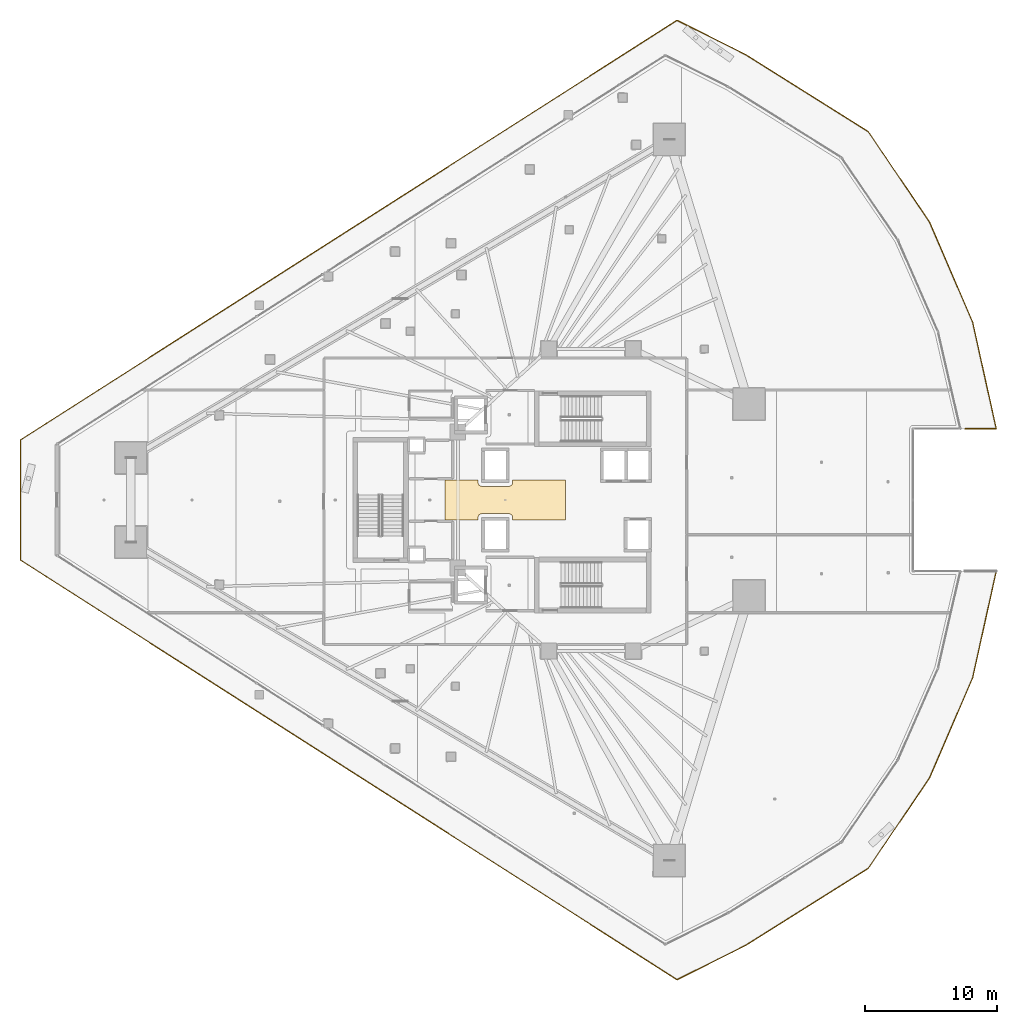
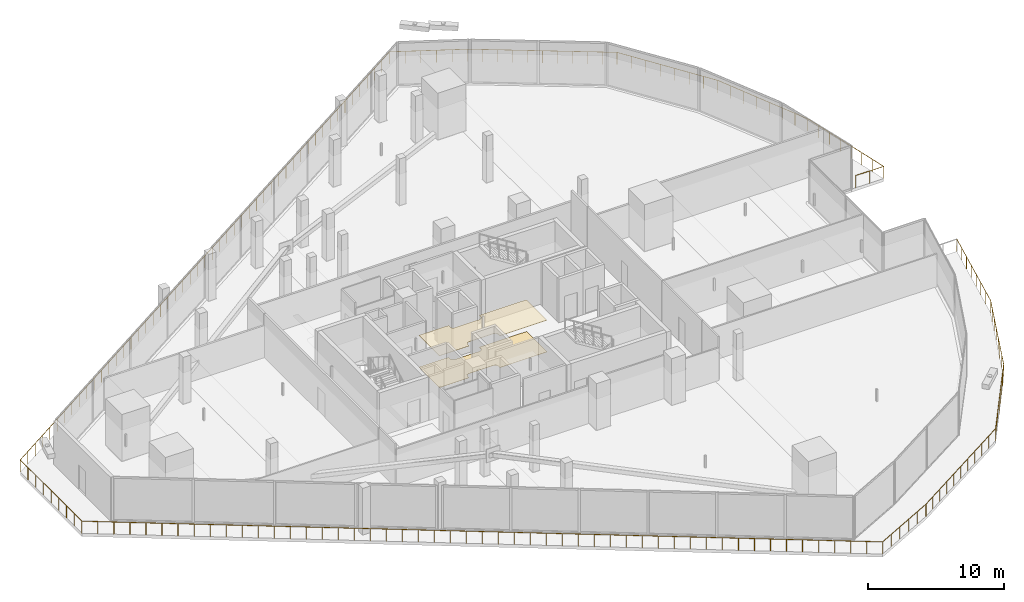
# One storey, part 41 of 43: 2 coverings, 1 railing.
"""IFC4 building model written with IfcOpenShell, lengths in metres."""

from ifc_helpers import new_model, si_unit, direction, frame, origin, origin_2d, place, context, subcontext, project, spatial, polyline, circle, outline, extrude, material, layer, layer_set, type_object, element, save


model = new_model("IFC4")

# Units and contexts
model_context = context("Model", 3, precision=1e-05, world=origin(), true_north=direction((0.0, 1.0)))
body_context = subcontext(model_context, "Body", "Model", "MODEL_VIEW")
ifc_project = project(units=[si_unit("LENGTHUNIT", "METRE"), si_unit("AREAUNIT", "SQUARE_METRE"), si_unit("VOLUMEUNIT", "CUBIC_METRE"), si_unit("PLANEANGLEUNIT", "RADIAN"), si_unit("MASSUNIT", "GRAM", prefix="KILO")], contexts=[model_context])

# Site, building, storey
site_placement = place(None, origin())
site = spatial("IfcSite", under=ifc_project, at=site_placement, CompositionType="ELEMENT")
building_placement = place(site_placement, origin())
building = spatial("IfcBuilding", under=site, at=building_placement, Name="Qorvath Tower", CompositionType="ELEMENT")
storey_placement = place(building_placement, frame((0.0, 0.0, 36.60009765625)))
storey = spatial("IfcBuildingStorey", under=building, at=storey_placement, Name="L07", CompositionType="ELEMENT", Elevation=36.60009765625)

# Coverings
ifc_material_1 = material(Name="Acoustic mineral fibre ceiling tile", Category="gypsum")
ifc_layer_1 = layer(ifc_material_1, 0.030029296875)
ifc_layer_set_1 = layer_set([ifc_layer_1], Name="COV-CEIL")
covering_type_1 = type_object("IfcCoveringType", Name="COV-CEIL", PredefinedType="CEILING", material=ifc_layer_set_1)
covering_1_placement = place(storey_placement, frame((0.0, 0.0, 2.849853515625)))
element("IfcCovering", 1, at=covering_1_placement, inside=storey, type_object=covering_type_1, Name="L07 Suspended Acoustic Ceiling 009", PredefinedType="CEILING", context=body_context, shape_type="SweptSolid", body=[
    extrude(outline(polyline([(-22.318359375, -1.514892578125), (-22.318359375, 1.514892578125), (-26.340087890625, 1.514892578125), (-26.340087890625, 1.2900390625), (-26.413330078125, 1.11328125), (-26.590087890625, 1.0400390625), (-28.7099609375, 1.0400390625), (-28.88671875, 1.11328125), (-28.9599609375, 1.2900390625), (-28.9599609375, 1.514892578125), (-31.481689453125, 1.514892578125), (-31.481689453125, -1.514892578125), (-28.9599609375, -1.514892578125), (-28.9599609375, -1.2900390625), (-28.88671875, -1.11328125), (-28.7099609375, -1.0400390625), (-26.590087890625, -1.0400390625), (-26.413330078125, -1.11328125), (-26.340087890625, -1.2900390625), (-26.340087890625, -1.514892578125), (-22.318359375, -1.514892578125)])), origin(), (0.0, 0.0, 1.0), 0.030029296875),
])
ifc_material_2 = material(Name="Polished epoxy terrazzo flooring", Category="concrete")
ifc_layer_2 = layer(ifc_material_2, 0.02001953125)
ifc_layer_set_2 = layer_set([ifc_layer_2], Name="COV-FLOOR-TRZ")
covering_type_2 = type_object("IfcCoveringType", Name="COV-FLOOR-TRZ", PredefinedType="FLOORING", material=ifc_layer_set_2)
covering_2_placement = place(storey_placement, origin())
element("IfcCovering", 2, at=covering_2_placement, inside=storey, type_object=covering_type_2, Name="L07 Floor Finish 009", PredefinedType="FLOORING", context=body_context, shape_type="SweptSolid", body=[
    extrude(outline(polyline([(-22.318359375, -1.514892578125), (-22.318359375, 1.514892578125), (-26.340087890625, 1.514892578125), (-26.340087890625, 1.2900390625), (-26.413330078125, 1.11328125), (-26.590087890625, 1.0400390625), (-28.7099609375, 1.0400390625), (-28.88671875, 1.11328125), (-28.9599609375, 1.2900390625), (-28.9599609375, 1.514892578125), (-31.481689453125, 1.514892578125), (-31.481689453125, -1.514892578125), (-28.9599609375, -1.514892578125), (-28.9599609375, -1.2900390625), (-28.88671875, -1.11328125), (-28.7099609375, -1.0400390625), (-26.590087890625, -1.0400390625), (-26.413330078125, -1.11328125), (-26.340087890625, -1.2900390625), (-26.340087890625, -1.514892578125), (-22.318359375, -1.514892578125)])), origin(), (0.0, 0.0, 1.0), 0.014892578125),
])

# Railing
ifc_material_3 = material(Name="Laminated safety glass and stainless steel AISI 316", Category="steel")
railing_type = type_object("IfcRailingType", Name="RL-EXT-GRD", PredefinedType="GUARDRAIL", material=ifc_material_3)
railing_placement = place(storey_placement, frame((10.32080078125, -5.39990234375, 0.0)))
element("IfcRailing", 3, at=railing_placement, inside=storey, type_object=railing_type, Name="Loggia Perimeter Guardrail L07-1.1", PredefinedType="GUARDRAIL", context=body_context, shape_type="SweptSolid", body=[
    extrude(circle(Radius=0.02392578125, at=origin_2d()), frame((0.0, 0.0, 1.09619140625), z_axis=(-0.216111367319, -0.976368719755, 0.0), x_axis=(0.976368719755, -0.216111367319, 0.0)), (0.0, 0.0, 1.0), 8.269287109375),
    extrude(circle(Radius=0.02392578125, at=origin_2d()), frame((-1.787109375, -8.073974609375, 1.09619140625), z_axis=(-0.395490176662, -0.918470206465, 0.0), x_axis=(0.918470206465, -0.395490176662, 0.0)), (0.0, 0.0, 1.0), 8.268798828125),
    extrude(circle(Radius=0.02392578125, at=origin_2d()), frame((-5.057373046875, -15.668701171875, 1.09619140625), z_axis=(-0.560810281293, -0.827944338948, 0.0), x_axis=(0.827944338948, -0.560810281293, 0.0)), (0.0, 0.0, 1.0), 8.269287109375),
    extrude(circle(Radius=0.02392578125, at=origin_2d()), frame((-9.69482421875, -22.51513671875, 1.09619140625), z_axis=(-0.846501906078, -0.532385690084, 0.0), x_axis=(0.532385690084, -0.846501906078, 0.0)), (0.0, 0.0, 1.0), 10.996337890625),
    extrude(circle(Radius=0.02392578125, at=origin_2d()), frame((-19.003173828125, -28.369384765625, 1.09619140625), z_axis=(-0.894410378143, -0.447247219634, 0.0), x_axis=(0.447247219634, -0.894410378143, 0.0)), (0.0, 0.0, 1.0), 5.80859375),
    extrude(circle(Radius=0.02392578125, at=origin_2d()), frame((-24.198486328125, -30.96728515625, 1.09619140625), z_axis=(-0.842603507833, 0.538534426557, 0.0), x_axis=(-0.538534426557, -0.842603507833, 0.0)), (0.0, 0.0, 1.0), 59.088623046875),
    extrude(circle(Radius=0.02392578125, at=origin_2d()), frame((-73.98681640625, 0.85400390625, 1.09619140625), z_axis=(0.0, 1.0, 0.0), x_axis=(-1.0, 0.0, 0.0)), (0.0, 0.0, 1.0), 9.091796875),
    extrude(circle(Radius=0.02392578125, at=origin_2d()), frame((-73.98681640625, 9.94580078125, 1.09619140625), z_axis=(0.842603507833, 0.538534426557, 0.0), x_axis=(-0.538534426557, 0.842603507833, 0.0)), (0.0, 0.0, 1.0), 59.088623046875),
    extrude(circle(Radius=0.02392578125, at=origin_2d()), frame((-24.198486328125, 41.76708984375, 1.09619140625), z_axis=(0.894410378143, -0.447247219634, 0.0), x_axis=(0.447247219634, 0.894410378143, 0.0)), (0.0, 0.0, 1.0), 5.80859375),
    extrude(circle(Radius=0.02392578125, at=origin_2d()), frame((-19.003173828125, 39.169189453125, 1.09619140625), z_axis=(0.846501906078, -0.532385690084, 0.0), x_axis=(0.532385690084, 0.846501906078, 0.0)), (0.0, 0.0, 1.0), 10.996337890625),
    extrude(circle(Radius=0.02392578125, at=origin_2d()), frame((-9.69482421875, 33.31494140625, 1.09619140625), z_axis=(0.560810281293, -0.827944338948, 0.0), x_axis=(0.827944338948, 0.560810281293, 0.0)), (0.0, 0.0, 1.0), 8.269287109375),
    extrude(circle(Radius=0.02392578125, at=origin_2d()), frame((-5.057373046875, 26.468505859375, 1.09619140625), z_axis=(0.395490176662, -0.918470206465, 0.0), x_axis=(0.918470206465, 0.395490176662, 0.0)), (0.0, 0.0, 1.0), 8.268798828125),
    extrude(circle(Radius=0.02392578125, at=origin_2d()), frame((-1.787109375, 18.873779296875, 1.09619140625), z_axis=(0.216111367319, -0.976368719755, 0.0), x_axis=(0.976368719755, 0.216111367319, 0.0)), (0.0, 0.0, 1.0), 8.269287109375),
    extrude(circle(Radius=0.02392578125, at=origin_2d()), frame((0.0, 10.7998046875, 1.09619140625), z_axis=(-1.0, 0.0, 0.0), x_axis=(0.0, -1.0, 0.0)), (0.0, 0.0, 1.0), 2.366455078125),
    extrude(circle(Radius=0.02099609375, at=origin_2d()), origin(), (0.0, 0.0, 1.0), 1.072021484375),
    extrude(circle(Radius=0.02099609375, at=origin_2d()), frame((-0.25537109375, -1.1533203125, 0.0)), (0.0, 0.0, 1.0), 1.072021484375),
    extrude(circle(Radius=0.02099609375, at=origin_2d()), frame((-0.510498046875, -2.306884765625, 0.0)), (0.0, 0.0, 1.0), 1.072021484375),
    extrude(circle(Radius=0.02099609375, at=origin_2d()), frame((-0.765869140625, -3.460205078125, 0.0)), (0.0, 0.0, 1.0), 1.072021484375),
    extrude(circle(Radius=0.02099609375, at=origin_2d()), frame((-1.021240234375, -4.61376953125, 0.0)), (0.0, 0.0, 1.0), 1.072021484375),
    extrude(circle(Radius=0.02099609375, at=origin_2d()), frame((-1.276611328125, -5.76708984375, 0.0)), (0.0, 0.0, 1.0), 1.072021484375),
    extrude(circle(Radius=0.02099609375, at=origin_2d()), frame((-1.53173828125, -6.920654296875, 0.0)), (0.0, 0.0, 1.0), 1.072021484375),
    extrude(circle(Radius=0.02099609375, at=origin_2d()), frame((-1.787109375, -8.073974609375, 0.0)), (0.0, 0.0, 1.0), 1.072021484375),
    extrude(circle(Radius=0.02099609375, at=origin_2d()), frame((-2.25439453125, -9.158935546875, 0.0)), (0.0, 0.0, 1.0), 1.072021484375),
    extrude(circle(Radius=0.02099609375, at=origin_2d()), frame((-2.721435546875, -10.243896484375, 0.0)), (0.0, 0.0, 1.0), 1.072021484375),
    extrude(circle(Radius=0.02099609375, at=origin_2d()), frame((-3.188720703125, -11.328857421875, 0.0)), (0.0, 0.0, 1.0), 1.072021484375),
    extrude(circle(Radius=0.02099609375, at=origin_2d()), frame((-3.65576171875, -12.413818359375, 0.0)), (0.0, 0.0, 1.0), 1.072021484375),
    extrude(circle(Radius=0.02099609375, at=origin_2d()), frame((-4.123046875, -13.498779296875, 0.0)), (0.0, 0.0, 1.0), 1.072021484375),
    extrude(circle(Radius=0.02099609375, at=origin_2d()), frame((-4.590087890625, -14.583740234375, 0.0)), (0.0, 0.0, 1.0), 1.072021484375),
    extrude(circle(Radius=0.02099609375, at=origin_2d()), frame((-5.057373046875, -15.668701171875, 0.0)), (0.0, 0.0, 1.0), 1.072021484375),
    extrude(circle(Radius=0.02099609375, at=origin_2d()), frame((-5.719970703125, -16.646728515625, 0.0)), (0.0, 0.0, 1.0), 1.072021484375),
    extrude(circle(Radius=0.02099609375, at=origin_2d()), frame((-6.38232421875, -17.624755859375, 0.0)), (0.0, 0.0, 1.0), 1.072021484375),
    extrude(circle(Radius=0.02099609375, at=origin_2d()), frame((-7.044921875, -18.602783203125, 0.0)), (0.0, 0.0, 1.0), 1.072021484375),
    extrude(circle(Radius=0.02099609375, at=origin_2d()), frame((-7.707275390625, -19.5810546875, 0.0)), (0.0, 0.0, 1.0), 1.072021484375),
    extrude(circle(Radius=0.02099609375, at=origin_2d()), frame((-8.369873046875, -20.55908203125, 0.0)), (0.0, 0.0, 1.0), 1.072021484375),
    extrude(circle(Radius=0.02099609375, at=origin_2d()), frame((-9.0322265625, -21.537109375, 0.0)), (0.0, 0.0, 1.0), 1.072021484375),
    extrude(circle(Radius=0.02099609375, at=origin_2d()), frame((-9.69482421875, -22.51513671875, 0.0)), (0.0, 0.0, 1.0), 1.072021484375),
    extrude(circle(Radius=0.02099609375, at=origin_2d()), frame((-10.625732421875, -23.1005859375, 0.0)), (0.0, 0.0, 1.0), 1.072021484375),
    extrude(circle(Radius=0.02099609375, at=origin_2d()), frame((-11.556396484375, -23.68603515625, 0.0)), (0.0, 0.0, 1.0), 1.072021484375),
    extrude(circle(Radius=0.02099609375, at=origin_2d()), frame((-12.4873046875, -24.271484375, 0.0)), (0.0, 0.0, 1.0), 1.072021484375),
    extrude(circle(Radius=0.02099609375, at=origin_2d()), frame((-13.418212890625, -24.85693359375, 0.0)), (0.0, 0.0, 1.0), 1.072021484375),
    extrude(circle(Radius=0.02099609375, at=origin_2d()), frame((-14.34912109375, -25.4423828125, 0.0)), (0.0, 0.0, 1.0), 1.072021484375),
    extrude(circle(Radius=0.02099609375, at=origin_2d()), frame((-15.27978515625, -26.027587890625, 0.0)), (0.0, 0.0, 1.0), 1.072021484375),
    extrude(circle(Radius=0.02099609375, at=origin_2d()), frame((-16.210693359375, -26.613037109375, 0.0)), (0.0, 0.0, 1.0), 1.072021484375),
    extrude(circle(Radius=0.02099609375, at=origin_2d()), frame((-17.1416015625, -27.198486328125, 0.0)), (0.0, 0.0, 1.0), 1.072021484375),
    extrude(circle(Radius=0.02099609375, at=origin_2d()), frame((-18.072265625, -27.783935546875, 0.0)), (0.0, 0.0, 1.0), 1.072021484375),
    extrude(circle(Radius=0.02099609375, at=origin_2d()), frame((-19.003173828125, -28.369384765625, 0.0)), (0.0, 0.0, 1.0), 1.072021484375),
    extrude(circle(Radius=0.02099609375, at=origin_2d()), frame((-20.042236328125, -28.888916015625, 0.0)), (0.0, 0.0, 1.0), 1.072021484375),
    extrude(circle(Radius=0.02099609375, at=origin_2d()), frame((-21.081298828125, -29.408447265625, 0.0)), (0.0, 0.0, 1.0), 1.072021484375),
    extrude(circle(Radius=0.02099609375, at=origin_2d()), frame((-22.120361328125, -29.92822265625, 0.0)), (0.0, 0.0, 1.0), 1.072021484375),
    extrude(circle(Radius=0.02099609375, at=origin_2d()), frame((-23.159423828125, -30.44775390625, 0.0)), (0.0, 0.0, 1.0), 1.072021484375),
    extrude(circle(Radius=0.02099609375, at=origin_2d()), frame((-24.198486328125, -30.96728515625, 0.0)), (0.0, 0.0, 1.0), 1.072021484375),
    extrude(circle(Radius=0.02099609375, at=origin_2d()), frame((-25.1943359375, -30.330810546875, 0.0)), (0.0, 0.0, 1.0), 1.072021484375),
    extrude(circle(Radius=0.02099609375, at=origin_2d()), frame((-26.18994140625, -29.6943359375, 0.0)), (0.0, 0.0, 1.0), 1.072021484375),
    extrude(circle(Radius=0.02099609375, at=origin_2d()), frame((-27.185791015625, -29.05810546875, 0.0)), (0.0, 0.0, 1.0), 1.072021484375),
    extrude(circle(Radius=0.02099609375, at=origin_2d()), frame((-28.181640625, -28.421630859375, 0.0)), (0.0, 0.0, 1.0), 1.072021484375),
    extrude(circle(Radius=0.02099609375, at=origin_2d()), frame((-29.17724609375, -27.78515625, 0.0)), (0.0, 0.0, 1.0), 1.072021484375),
    extrude(circle(Radius=0.02099609375, at=origin_2d()), frame((-30.173095703125, -27.148681640625, 0.0)), (0.0, 0.0, 1.0), 1.072021484375),
    extrude(circle(Radius=0.02099609375, at=origin_2d()), frame((-31.1689453125, -26.51220703125, 0.0)), (0.0, 0.0, 1.0), 1.072021484375),
    extrude(circle(Radius=0.02099609375, at=origin_2d()), frame((-32.16455078125, -25.8759765625, 0.0)), (0.0, 0.0, 1.0), 1.072021484375),
    extrude(circle(Radius=0.02099609375, at=origin_2d()), frame((-33.160400390625, -25.239501953125, 0.0)), (0.0, 0.0, 1.0), 1.072021484375),
    extrude(circle(Radius=0.02099609375, at=origin_2d()), frame((-34.15625, -24.60302734375, 0.0)), (0.0, 0.0, 1.0), 1.072021484375),
    extrude(circle(Radius=0.02099609375, at=origin_2d()), frame((-35.15185546875, -23.966552734375, 0.0)), (0.0, 0.0, 1.0), 1.072021484375),
    extrude(circle(Radius=0.02099609375, at=origin_2d()), frame((-36.147705078125, -23.330078125, 0.0)), (0.0, 0.0, 1.0), 1.072021484375),
    extrude(circle(Radius=0.02099609375, at=origin_2d()), frame((-37.1435546875, -22.69384765625, 0.0)), (0.0, 0.0, 1.0), 1.072021484375),
    extrude(circle(Radius=0.02099609375, at=origin_2d()), frame((-38.13916015625, -22.057373046875, 0.0)), (0.0, 0.0, 1.0), 1.072021484375),
    extrude(circle(Radius=0.02099609375, at=origin_2d()), frame((-39.135009765625, -21.4208984375, 0.0)), (0.0, 0.0, 1.0), 1.072021484375),
    extrude(circle(Radius=0.02099609375, at=origin_2d()), frame((-40.130859375, -20.784423828125, 0.0)), (0.0, 0.0, 1.0), 1.072021484375),
    extrude(circle(Radius=0.02099609375, at=origin_2d()), frame((-41.12646484375, -20.14794921875, 0.0)), (0.0, 0.0, 1.0), 1.072021484375),
    extrude(circle(Radius=0.02099609375, at=origin_2d()), frame((-42.122314453125, -19.51171875, 0.0)), (0.0, 0.0, 1.0), 1.072021484375),
    extrude(circle(Radius=0.02099609375, at=origin_2d()), frame((-43.1181640625, -18.875244140625, 0.0)), (0.0, 0.0, 1.0), 1.072021484375),
    extrude(circle(Radius=0.02099609375, at=origin_2d()), frame((-44.11376953125, -18.23876953125, 0.0)), (0.0, 0.0, 1.0), 1.072021484375),
    extrude(circle(Radius=0.02099609375, at=origin_2d()), frame((-45.109619140625, -17.602294921875, 0.0)), (0.0, 0.0, 1.0), 1.072021484375),
    extrude(circle(Radius=0.02099609375, at=origin_2d()), frame((-46.10546875, -16.9658203125, 0.0)), (0.0, 0.0, 1.0), 1.072021484375),
    extrude(circle(Radius=0.02099609375, at=origin_2d()), frame((-47.10107421875, -16.32958984375, 0.0)), (0.0, 0.0, 1.0), 1.072021484375),
    extrude(circle(Radius=0.02099609375, at=origin_2d()), frame((-48.096923828125, -15.693115234375, 0.0)), (0.0, 0.0, 1.0), 1.072021484375),
    extrude(circle(Radius=0.02099609375, at=origin_2d()), frame((-49.0927734375, -15.056640625, 0.0)), (0.0, 0.0, 1.0), 1.072021484375),
    extrude(circle(Radius=0.02099609375, at=origin_2d()), frame((-50.08837890625, -14.420166015625, 0.0)), (0.0, 0.0, 1.0), 1.072021484375),
    extrude(circle(Radius=0.02099609375, at=origin_2d()), frame((-51.084228515625, -13.78369140625, 0.0)), (0.0, 0.0, 1.0), 1.072021484375),
    extrude(circle(Radius=0.02099609375, at=origin_2d()), frame((-52.079833984375, -13.1474609375, 0.0)), (0.0, 0.0, 1.0), 1.072021484375),
    extrude(circle(Radius=0.02099609375, at=origin_2d()), frame((-53.07568359375, -12.510986328125, 0.0)), (0.0, 0.0, 1.0), 1.072021484375),
    extrude(circle(Radius=0.02099609375, at=origin_2d()), frame((-54.071533203125, -11.87451171875, 0.0)), (0.0, 0.0, 1.0), 1.072021484375),
    extrude(circle(Radius=0.02099609375, at=origin_2d()), frame((-55.067138671875, -11.238037109375, 0.0)), (0.0, 0.0, 1.0), 1.072021484375),
    extrude(circle(Radius=0.02099609375, at=origin_2d()), frame((-56.06298828125, -10.6015625, 0.0)), (0.0, 0.0, 1.0), 1.072021484375),
    extrude(circle(Radius=0.02099609375, at=origin_2d()), frame((-57.058837890625, -9.96533203125, 0.0)), (0.0, 0.0, 1.0), 1.072021484375),
    extrude(circle(Radius=0.02099609375, at=origin_2d()), frame((-58.054443359375, -9.328857421875, 0.0)), (0.0, 0.0, 1.0), 1.072021484375),
    extrude(circle(Radius=0.02099609375, at=origin_2d()), frame((-59.05029296875, -8.6923828125, 0.0)), (0.0, 0.0, 1.0), 1.072021484375),
    extrude(circle(Radius=0.02099609375, at=origin_2d()), frame((-60.046142578125, -8.055908203125, 0.0)), (0.0, 0.0, 1.0), 1.072021484375),
    extrude(circle(Radius=0.02099609375, at=origin_2d()), frame((-61.041748046875, -7.41943359375, 0.0)), (0.0, 0.0, 1.0), 1.072021484375),
    extrude(circle(Radius=0.02099609375, at=origin_2d()), frame((-62.03759765625, -6.783203125, 0.0)), (0.0, 0.0, 1.0), 1.072021484375),
    extrude(circle(Radius=0.02099609375, at=origin_2d()), frame((-63.033447265625, -6.146728515625, 0.0)), (0.0, 0.0, 1.0), 1.072021484375),
    extrude(circle(Radius=0.02099609375, at=origin_2d()), frame((-64.029052734375, -5.51025390625, 0.0)), (0.0, 0.0, 1.0), 1.072021484375),
    extrude(circle(Radius=0.02099609375, at=origin_2d()), frame((-65.02490234375, -4.873779296875, 0.0)), (0.0, 0.0, 1.0), 1.072021484375),
    extrude(circle(Radius=0.02099609375, at=origin_2d()), frame((-66.020751953125, -4.2373046875, 0.0)), (0.0, 0.0, 1.0), 1.072021484375),
    extrude(circle(Radius=0.02099609375, at=origin_2d()), frame((-67.016357421875, -3.60107421875, 0.0)), (0.0, 0.0, 1.0), 1.072021484375),
    extrude(circle(Radius=0.02099609375, at=origin_2d()), frame((-68.01220703125, -2.964599609375, 0.0)), (0.0, 0.0, 1.0), 1.072021484375),
    extrude(circle(Radius=0.02099609375, at=origin_2d()), frame((-69.008056640625, -2.328125, 0.0)), (0.0, 0.0, 1.0), 1.072021484375),
    extrude(circle(Radius=0.02099609375, at=origin_2d()), frame((-70.003662109375, -1.691650390625, 0.0)), (0.0, 0.0, 1.0), 1.072021484375),
    extrude(circle(Radius=0.02099609375, at=origin_2d()), frame((-70.99951171875, -1.05517578125, 0.0)), (0.0, 0.0, 1.0), 1.072021484375),
    extrude(circle(Radius=0.02099609375, at=origin_2d()), frame((-71.995361328125, -0.4189453125, 0.0)), (0.0, 0.0, 1.0), 1.072021484375),
    extrude(circle(Radius=0.02099609375, at=origin_2d()), frame((-72.990966796875, 0.217529296875, 0.0)), (0.0, 0.0, 1.0), 1.072021484375),
    extrude(circle(Radius=0.02099609375, at=origin_2d()), frame((-73.98681640625, 0.85400390625, 0.0)), (0.0, 0.0, 1.0), 1.072021484375),
    extrude(circle(Radius=0.02099609375, at=origin_2d()), frame((-73.98681640625, 1.990478515625, 0.0)), (0.0, 0.0, 1.0), 1.072021484375),
    extrude(circle(Radius=0.02099609375, at=origin_2d()), frame((-73.98681640625, 3.126953125, 0.0)), (0.0, 0.0, 1.0), 1.072021484375),
    extrude(circle(Radius=0.02099609375, at=origin_2d()), frame((-73.98681640625, 4.263427734375, 0.0)), (0.0, 0.0, 1.0), 1.072021484375),
    extrude(circle(Radius=0.02099609375, at=origin_2d()), frame((-73.98681640625, 5.39990234375, 0.0)), (0.0, 0.0, 1.0), 1.072021484375),
    extrude(circle(Radius=0.02099609375, at=origin_2d()), frame((-73.98681640625, 6.536376953125, 0.0)), (0.0, 0.0, 1.0), 1.072021484375),
    extrude(circle(Radius=0.02099609375, at=origin_2d()), frame((-73.98681640625, 7.6728515625, 0.0)), (0.0, 0.0, 1.0), 1.072021484375),
    extrude(circle(Radius=0.02099609375, at=origin_2d()), frame((-73.98681640625, 8.809326171875, 0.0)), (0.0, 0.0, 1.0), 1.072021484375),
    extrude(circle(Radius=0.02099609375, at=origin_2d()), frame((-73.98681640625, 9.94580078125, 0.0)), (0.0, 0.0, 1.0), 1.072021484375),
    extrude(circle(Radius=0.02099609375, at=origin_2d()), frame((-72.990966796875, 10.582275390625, 0.0)), (0.0, 0.0, 1.0), 1.072021484375),
    extrude(circle(Radius=0.02099609375, at=origin_2d()), frame((-71.995361328125, 11.21875, 0.0)), (0.0, 0.0, 1.0), 1.072021484375),
    extrude(circle(Radius=0.02099609375, at=origin_2d()), frame((-70.99951171875, 11.85498046875, 0.0)), (0.0, 0.0, 1.0), 1.072021484375),
    extrude(circle(Radius=0.02099609375, at=origin_2d()), frame((-70.003662109375, 12.491455078125, 0.0)), (0.0, 0.0, 1.0), 1.072021484375),
    extrude(circle(Radius=0.02099609375, at=origin_2d()), frame((-69.008056640625, 13.1279296875, 0.0)), (0.0, 0.0, 1.0), 1.072021484375),
    extrude(circle(Radius=0.02099609375, at=origin_2d()), frame((-68.01220703125, 13.764404296875, 0.0)), (0.0, 0.0, 1.0), 1.072021484375),
    extrude(circle(Radius=0.02099609375, at=origin_2d()), frame((-67.016357421875, 14.40087890625, 0.0)), (0.0, 0.0, 1.0), 1.072021484375),
    extrude(circle(Radius=0.02099609375, at=origin_2d()), frame((-66.020751953125, 15.037109375, 0.0)), (0.0, 0.0, 1.0), 1.072021484375),
    extrude(circle(Radius=0.02099609375, at=origin_2d()), frame((-65.02490234375, 15.673583984375, 0.0)), (0.0, 0.0, 1.0), 1.072021484375),
    extrude(circle(Radius=0.02099609375, at=origin_2d()), frame((-64.029052734375, 16.31005859375, 0.0)), (0.0, 0.0, 1.0), 1.072021484375),
    extrude(circle(Radius=0.02099609375, at=origin_2d()), frame((-63.033447265625, 16.946533203125, 0.0)), (0.0, 0.0, 1.0), 1.072021484375),
    extrude(circle(Radius=0.02099609375, at=origin_2d()), frame((-62.03759765625, 17.5830078125, 0.0)), (0.0, 0.0, 1.0), 1.072021484375),
    extrude(circle(Radius=0.02099609375, at=origin_2d()), frame((-61.041748046875, 18.21923828125, 0.0)), (0.0, 0.0, 1.0), 1.072021484375),
    extrude(circle(Radius=0.02099609375, at=origin_2d()), frame((-60.046142578125, 18.855712890625, 0.0)), (0.0, 0.0, 1.0), 1.072021484375),
    extrude(circle(Radius=0.02099609375, at=origin_2d()), frame((-59.05029296875, 19.4921875, 0.0)), (0.0, 0.0, 1.0), 1.072021484375),
    extrude(circle(Radius=0.02099609375, at=origin_2d()), frame((-58.054443359375, 20.128662109375, 0.0)), (0.0, 0.0, 1.0), 1.072021484375),
    extrude(circle(Radius=0.02099609375, at=origin_2d()), frame((-57.058837890625, 20.76513671875, 0.0)), (0.0, 0.0, 1.0), 1.072021484375),
    extrude(circle(Radius=0.02099609375, at=origin_2d()), frame((-56.06298828125, 21.4013671875, 0.0)), (0.0, 0.0, 1.0), 1.072021484375),
    extrude(circle(Radius=0.02099609375, at=origin_2d()), frame((-55.067138671875, 22.037841796875, 0.0)), (0.0, 0.0, 1.0), 1.072021484375),
    extrude(circle(Radius=0.02099609375, at=origin_2d()), frame((-54.071533203125, 22.67431640625, 0.0)), (0.0, 0.0, 1.0), 1.072021484375),
    extrude(circle(Radius=0.02099609375, at=origin_2d()), frame((-53.07568359375, 23.310791015625, 0.0)), (0.0, 0.0, 1.0), 1.072021484375),
    extrude(circle(Radius=0.02099609375, at=origin_2d()), frame((-52.079833984375, 23.947265625, 0.0)), (0.0, 0.0, 1.0), 1.072021484375),
    extrude(circle(Radius=0.02099609375, at=origin_2d()), frame((-51.084228515625, 24.58349609375, 0.0)), (0.0, 0.0, 1.0), 1.072021484375),
    extrude(circle(Radius=0.02099609375, at=origin_2d()), frame((-50.08837890625, 25.219970703125, 0.0)), (0.0, 0.0, 1.0), 1.072021484375),
    extrude(circle(Radius=0.02099609375, at=origin_2d()), frame((-49.0927734375, 25.8564453125, 0.0)), (0.0, 0.0, 1.0), 1.072021484375),
    extrude(circle(Radius=0.02099609375, at=origin_2d()), frame((-48.096923828125, 26.492919921875, 0.0)), (0.0, 0.0, 1.0), 1.072021484375),
    extrude(circle(Radius=0.02099609375, at=origin_2d()), frame((-47.10107421875, 27.12939453125, 0.0)), (0.0, 0.0, 1.0), 1.072021484375),
    extrude(circle(Radius=0.02099609375, at=origin_2d()), frame((-46.10546875, 27.765625, 0.0)), (0.0, 0.0, 1.0), 1.072021484375),
    extrude(circle(Radius=0.02099609375, at=origin_2d()), frame((-45.109619140625, 28.402099609375, 0.0)), (0.0, 0.0, 1.0), 1.072021484375),
    extrude(circle(Radius=0.02099609375, at=origin_2d()), frame((-44.11376953125, 29.03857421875, 0.0)), (0.0, 0.0, 1.0), 1.072021484375),
    extrude(circle(Radius=0.02099609375, at=origin_2d()), frame((-43.1181640625, 29.675048828125, 0.0)), (0.0, 0.0, 1.0), 1.072021484375),
    extrude(circle(Radius=0.02099609375, at=origin_2d()), frame((-42.122314453125, 30.3115234375, 0.0)), (0.0, 0.0, 1.0), 1.072021484375),
    extrude(circle(Radius=0.02099609375, at=origin_2d()), frame((-41.12646484375, 30.94775390625, 0.0)), (0.0, 0.0, 1.0), 1.072021484375),
    extrude(circle(Radius=0.02099609375, at=origin_2d()), frame((-40.130859375, 31.584228515625, 0.0)), (0.0, 0.0, 1.0), 1.072021484375),
    extrude(circle(Radius=0.02099609375, at=origin_2d()), frame((-39.135009765625, 32.220703125, 0.0)), (0.0, 0.0, 1.0), 1.072021484375),
    extrude(circle(Radius=0.02099609375, at=origin_2d()), frame((-38.13916015625, 32.857177734375, 0.0)), (0.0, 0.0, 1.0), 1.072021484375),
    extrude(circle(Radius=0.02099609375, at=origin_2d()), frame((-37.1435546875, 33.49365234375, 0.0)), (0.0, 0.0, 1.0), 1.072021484375),
    extrude(circle(Radius=0.02099609375, at=origin_2d()), frame((-36.147705078125, 34.1298828125, 0.0)), (0.0, 0.0, 1.0), 1.072021484375),
    extrude(circle(Radius=0.02099609375, at=origin_2d()), frame((-35.15185546875, 34.766357421875, 0.0)), (0.0, 0.0, 1.0), 1.072021484375),
    extrude(circle(Radius=0.02099609375, at=origin_2d()), frame((-34.15625, 35.40283203125, 0.0)), (0.0, 0.0, 1.0), 1.072021484375),
    extrude(circle(Radius=0.02099609375, at=origin_2d()), frame((-33.160400390625, 36.039306640625, 0.0)), (0.0, 0.0, 1.0), 1.072021484375),
    extrude(circle(Radius=0.02099609375, at=origin_2d()), frame((-32.16455078125, 36.67578125, 0.0)), (0.0, 0.0, 1.0), 1.072021484375),
    extrude(circle(Radius=0.02099609375, at=origin_2d()), frame((-31.1689453125, 37.31201171875, 0.0)), (0.0, 0.0, 1.0), 1.072021484375),
    extrude(circle(Radius=0.02099609375, at=origin_2d()), frame((-30.173095703125, 37.948486328125, 0.0)), (0.0, 0.0, 1.0), 1.072021484375),
    extrude(circle(Radius=0.02099609375, at=origin_2d()), frame((-29.17724609375, 38.5849609375, 0.0)), (0.0, 0.0, 1.0), 1.072021484375),
    extrude(circle(Radius=0.02099609375, at=origin_2d()), frame((-28.181640625, 39.221435546875, 0.0)), (0.0, 0.0, 1.0), 1.072021484375),
    extrude(circle(Radius=0.02099609375, at=origin_2d()), frame((-27.185791015625, 39.85791015625, 0.0)), (0.0, 0.0, 1.0), 1.072021484375),
    extrude(circle(Radius=0.02099609375, at=origin_2d()), frame((-26.18994140625, 40.494140625, 0.0)), (0.0, 0.0, 1.0), 1.072021484375),
    extrude(circle(Radius=0.02099609375, at=origin_2d()), frame((-25.1943359375, 41.130615234375, 0.0)), (0.0, 0.0, 1.0), 1.072021484375),
    extrude(circle(Radius=0.02099609375, at=origin_2d()), frame((-24.198486328125, 41.76708984375, 0.0)), (0.0, 0.0, 1.0), 1.072021484375),
    extrude(circle(Radius=0.02099609375, at=origin_2d()), frame((-23.159423828125, 41.24755859375, 0.0)), (0.0, 0.0, 1.0), 1.072021484375),
    extrude(circle(Radius=0.02099609375, at=origin_2d()), frame((-22.120361328125, 40.72802734375, 0.0)), (0.0, 0.0, 1.0), 1.072021484375),
    extrude(circle(Radius=0.02099609375, at=origin_2d()), frame((-21.081298828125, 40.208251953125, 0.0)), (0.0, 0.0, 1.0), 1.072021484375),
    extrude(circle(Radius=0.02099609375, at=origin_2d()), frame((-20.042236328125, 39.688720703125, 0.0)), (0.0, 0.0, 1.0), 1.072021484375),
    extrude(circle(Radius=0.02099609375, at=origin_2d()), frame((-19.003173828125, 39.169189453125, 0.0)), (0.0, 0.0, 1.0), 1.072021484375),
    extrude(circle(Radius=0.02099609375, at=origin_2d()), frame((-18.072265625, 38.583740234375, 0.0)), (0.0, 0.0, 1.0), 1.072021484375),
    extrude(circle(Radius=0.02099609375, at=origin_2d()), frame((-17.1416015625, 37.998291015625, 0.0)), (0.0, 0.0, 1.0), 1.072021484375),
    extrude(circle(Radius=0.02099609375, at=origin_2d()), frame((-16.210693359375, 37.412841796875, 0.0)), (0.0, 0.0, 1.0), 1.072021484375),
    extrude(circle(Radius=0.02099609375, at=origin_2d()), frame((-15.27978515625, 36.827392578125, 0.0)), (0.0, 0.0, 1.0), 1.072021484375),
    extrude(circle(Radius=0.02099609375, at=origin_2d()), frame((-14.34912109375, 36.2421875, 0.0)), (0.0, 0.0, 1.0), 1.072021484375),
    extrude(circle(Radius=0.02099609375, at=origin_2d()), frame((-13.418212890625, 35.65673828125, 0.0)), (0.0, 0.0, 1.0), 1.072021484375),
    extrude(circle(Radius=0.02099609375, at=origin_2d()), frame((-12.4873046875, 35.0712890625, 0.0)), (0.0, 0.0, 1.0), 1.072021484375),
    extrude(circle(Radius=0.02099609375, at=origin_2d()), frame((-11.556396484375, 34.48583984375, 0.0)), (0.0, 0.0, 1.0), 1.072021484375),
    extrude(circle(Radius=0.02099609375, at=origin_2d()), frame((-10.625732421875, 33.900390625, 0.0)), (0.0, 0.0, 1.0), 1.072021484375),
    extrude(circle(Radius=0.02099609375, at=origin_2d()), frame((-9.69482421875, 33.31494140625, 0.0)), (0.0, 0.0, 1.0), 1.072021484375),
    extrude(circle(Radius=0.02099609375, at=origin_2d()), frame((-9.0322265625, 32.3369140625, 0.0)), (0.0, 0.0, 1.0), 1.072021484375),
    extrude(circle(Radius=0.02099609375, at=origin_2d()), frame((-8.369873046875, 31.35888671875, 0.0)), (0.0, 0.0, 1.0), 1.072021484375),
    extrude(circle(Radius=0.02099609375, at=origin_2d()), frame((-7.707275390625, 30.380859375, 0.0)), (0.0, 0.0, 1.0), 1.072021484375),
    extrude(circle(Radius=0.02099609375, at=origin_2d()), frame((-7.044921875, 29.402587890625, 0.0)), (0.0, 0.0, 1.0), 1.072021484375),
    extrude(circle(Radius=0.02099609375, at=origin_2d()), frame((-6.38232421875, 28.424560546875, 0.0)), (0.0, 0.0, 1.0), 1.072021484375),
    extrude(circle(Radius=0.02099609375, at=origin_2d()), frame((-5.719970703125, 27.446533203125, 0.0)), (0.0, 0.0, 1.0), 1.072021484375),
    extrude(circle(Radius=0.02099609375, at=origin_2d()), frame((-5.057373046875, 26.468505859375, 0.0)), (0.0, 0.0, 1.0), 1.072021484375),
    extrude(circle(Radius=0.02099609375, at=origin_2d()), frame((-4.590087890625, 25.383544921875, 0.0)), (0.0, 0.0, 1.0), 1.072021484375),
    extrude(circle(Radius=0.02099609375, at=origin_2d()), frame((-4.123046875, 24.298583984375, 0.0)), (0.0, 0.0, 1.0), 1.072021484375),
    extrude(circle(Radius=0.02099609375, at=origin_2d()), frame((-3.65576171875, 23.213623046875, 0.0)), (0.0, 0.0, 1.0), 1.072021484375),
    extrude(circle(Radius=0.02099609375, at=origin_2d()), frame((-3.188720703125, 22.128662109375, 0.0)), (0.0, 0.0, 1.0), 1.072021484375),
    extrude(circle(Radius=0.02099609375, at=origin_2d()), frame((-2.721435546875, 21.043701171875, 0.0)), (0.0, 0.0, 1.0), 1.072021484375),
    extrude(circle(Radius=0.02099609375, at=origin_2d()), frame((-2.25439453125, 19.958740234375, 0.0)), (0.0, 0.0, 1.0), 1.072021484375),
    extrude(circle(Radius=0.02099609375, at=origin_2d()), frame((-1.787109375, 18.873779296875, 0.0)), (0.0, 0.0, 1.0), 1.072021484375),
    extrude(circle(Radius=0.02099609375, at=origin_2d()), frame((-1.53173828125, 17.720458984375, 0.0)), (0.0, 0.0, 1.0), 1.072021484375),
    extrude(circle(Radius=0.02099609375, at=origin_2d()), frame((-1.276611328125, 16.56689453125, 0.0)), (0.0, 0.0, 1.0), 1.072021484375),
    extrude(circle(Radius=0.02099609375, at=origin_2d()), frame((-1.021240234375, 15.41357421875, 0.0)), (0.0, 0.0, 1.0), 1.072021484375),
    extrude(circle(Radius=0.02099609375, at=origin_2d()), frame((-0.765869140625, 14.260009765625, 0.0)), (0.0, 0.0, 1.0), 1.072021484375),
    extrude(circle(Radius=0.02099609375, at=origin_2d()), frame((-0.510498046875, 13.106689453125, 0.0)), (0.0, 0.0, 1.0), 1.072021484375),
    extrude(circle(Radius=0.02099609375, at=origin_2d()), frame((-0.25537109375, 11.953125, 0.0)), (0.0, 0.0, 1.0), 1.072021484375),
    extrude(circle(Radius=0.02099609375, at=origin_2d()), frame((0.0, 10.7998046875, 0.0)), (0.0, 0.0, 1.0), 1.072021484375),
    extrude(circle(Radius=0.02099609375, at=origin_2d()), frame((-1.18310546875, 10.7998046875, 0.0)), (0.0, 0.0, 1.0), 1.072021484375),
    extrude(circle(Radius=0.02099609375, at=origin_2d()), frame((-2.366455078125, 10.7998046875, 0.0)), (0.0, 0.0, 1.0), 1.072021484375),
])

save(model, "model.ifc")
